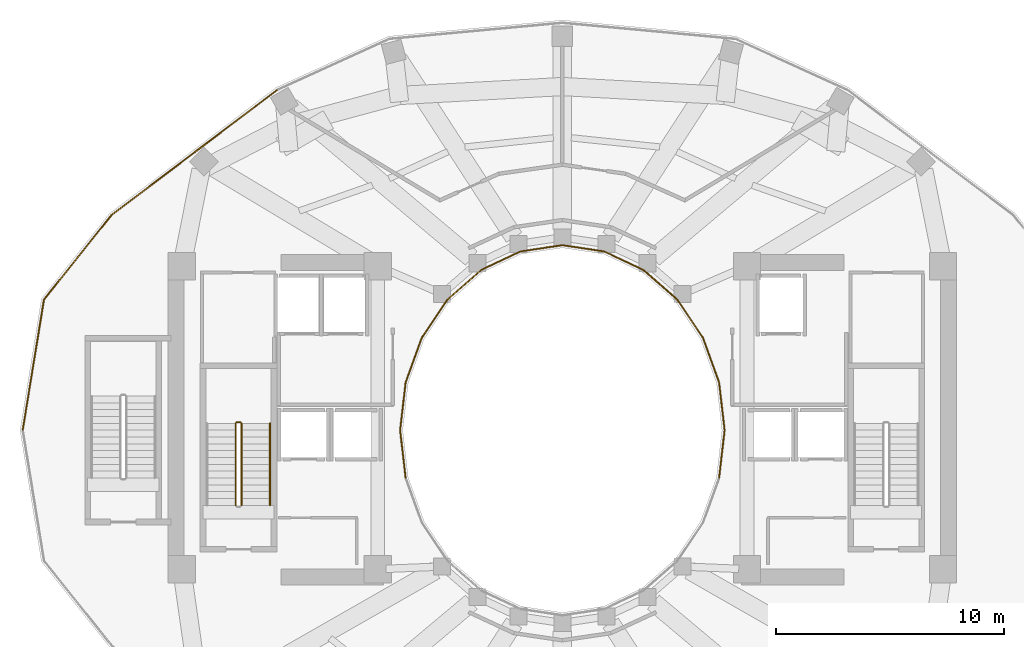
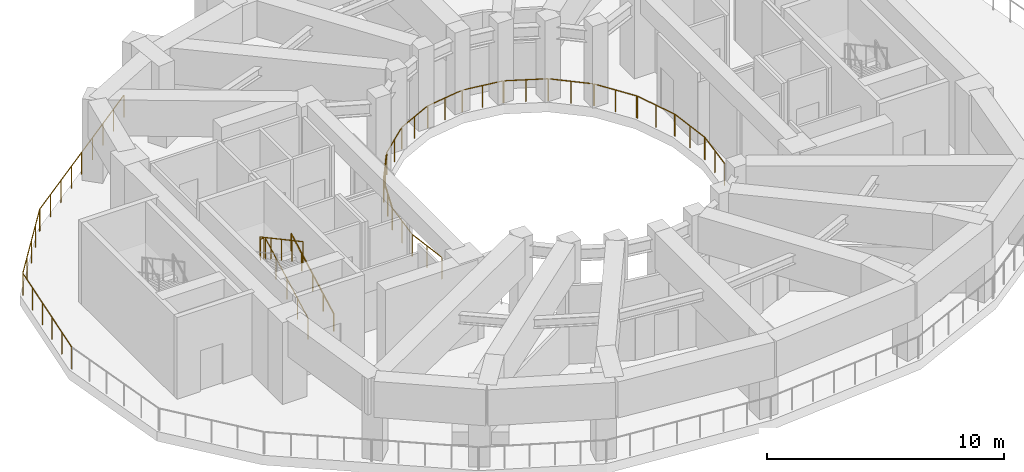
# One storey, part 7 of 9: 22 railings.
"""IFC4 building model written with IfcOpenShell, lengths in metres."""

from ifc_helpers import new_model, si_unit, direction, frame, origin, origin_2d, place, context, subcontext, project, spatial, circle, extrude, material, type_object, element, save


model = new_model("IFC4")

# Units and contexts
model_context = context("Model", 3, precision=1e-05, world=origin(), true_north=direction((0.0, 1.0)))
body_context = subcontext(model_context, "Body", "Model", "MODEL_VIEW")
ifc_project = project(units=[si_unit("LENGTHUNIT", "METRE"), si_unit("AREAUNIT", "SQUARE_METRE"), si_unit("VOLUMEUNIT", "CUBIC_METRE"), si_unit("PLANEANGLEUNIT", "RADIAN"), si_unit("MASSUNIT", "GRAM", prefix="KILO")], contexts=[model_context])

# Site, building, storey
site_placement = place(None, origin())
site = spatial("IfcSite", under=ifc_project, at=site_placement, CompositionType="ELEMENT")
building_placement = place(site_placement, origin())
building = spatial("IfcBuilding", under=site, at=building_placement, Name="Solvane Sanctuary Tower", CompositionType="ELEMENT")
storey_placement = place(building_placement, frame((0.0, 0.0, 133.199951171875)))
storey = spatial("IfcBuildingStorey", under=building, at=storey_placement, Name="L40", CompositionType="ELEMENT", Elevation=133.199951171875)

# Railings
ifc_material = material(Name="Architectural Stainless Steel 316", Category="steel")
railing_type_1 = type_object("IfcRailingType", Name="Railing GR-BALC-1150", PredefinedType="BALUSTRADE", material=ifc_material)
railing_1_placement = place(storey_placement, frame((19.470458984375, 37.9208984375, 0.0)))
element("IfcRailing", 1, at=railing_1_placement, inside=storey, type_object=railing_type_1, Name="L40 Open Void-Portal Perimeter Balustrade 08", PredefinedType="BALUSTRADE", context=body_context, shape_type="SweptSolid", body=[
    extrude(circle(Radius=0.02392578125, at=origin_2d()), frame((0.0, 0.0, 1.1259765625), z_axis=(-0.797812361188, -0.602905827088, 0.0), x_axis=(0.602905827088, -0.797812361188, 0.0)), (0.0, 0.0, 1.0), 4.5107421875),
    extrude(circle(Radius=0.02099609375, at=origin_2d()), origin(), (0.0, 0.0, 1.0), 1.101806640625),
    extrude(circle(Radius=0.02099609375, at=origin_2d()), frame((-0.899658203125, -0.679931640625, 0.0)), (0.0, 0.0, 1.0), 1.101806640625),
    extrude(circle(Radius=0.02099609375, at=origin_2d()), frame((-1.79931640625, -1.35986328125, 0.0)), (0.0, 0.0, 1.0), 1.101806640625),
    extrude(circle(Radius=0.02099609375, at=origin_2d()), frame((-2.698974609375, -2.03955078125, 0.0)), (0.0, 0.0, 1.0), 1.101806640625),
    extrude(circle(Radius=0.02099609375, at=origin_2d()), frame((-3.5986328125, -2.719482421875, 0.0)), (0.0, 0.0, 1.0), 1.101806640625),
])
railing_2_placement = place(storey_placement, frame((15.83984375, 35.17724609375, 0.0)))
element("IfcRailing", 2, at=railing_2_placement, inside=storey, type_object=railing_type_1, Name="L40 Open Void-Portal Perimeter Balustrade 09", PredefinedType="BALUSTRADE", context=body_context, shape_type="SweptSolid", body=[
    extrude(circle(Radius=0.02392578125, at=origin_2d()), frame((0.0, 0.0, 1.1259765625), z_axis=(-0.798328062735, -0.602222802832, 0.0), x_axis=(0.602222802832, -0.798328062735, 0.0)), (0.0, 0.0, 1.0), 4.51171875),
    extrude(circle(Radius=0.02099609375, at=origin_2d()), origin(), (0.0, 0.0, 1.0), 1.101806640625),
    extrude(circle(Radius=0.02099609375, at=origin_2d()), frame((-0.900390625, -0.67919921875, 0.0)), (0.0, 0.0, 1.0), 1.101806640625),
    extrude(circle(Radius=0.02099609375, at=origin_2d()), frame((-1.80078125, -1.3583984375, 0.0)), (0.0, 0.0, 1.0), 1.101806640625),
    extrude(circle(Radius=0.02099609375, at=origin_2d()), frame((-2.701416015625, -2.037841796875, 0.0)), (0.0, 0.0, 1.0), 1.101806640625),
    extrude(circle(Radius=0.02099609375, at=origin_2d()), frame((-3.601806640625, -2.717041015625, 0.0)), (0.0, 0.0, 1.0), 1.101806640625),
])
railing_3_placement = place(storey_placement, frame((12.20947265625, 32.4326171875, 0.0)))
element("IfcRailing", 3, at=railing_3_placement, inside=storey, type_object=railing_type_1, Name="L40 Open Void-Portal Perimeter Balustrade 10", PredefinedType="BALUSTRADE", context=body_context, shape_type="SweptSolid", body=[
    extrude(circle(Radius=0.02392578125, at=origin_2d()), frame((0.0, 0.0, 1.1259765625), z_axis=(-0.624253147679, -0.781222124375, 0.0), x_axis=(0.781222124375, -0.624253147679, 0.0)), (0.0, 0.0, 1.0), 4.71728515625),
    extrude(circle(Radius=0.02099609375, at=origin_2d()), origin(), (0.0, 0.0, 1.0), 1.101806640625),
    extrude(circle(Radius=0.02099609375, at=origin_2d()), frame((-0.736328125, -0.92138671875, 0.0)), (0.0, 0.0, 1.0), 1.101806640625),
    extrude(circle(Radius=0.02099609375, at=origin_2d()), frame((-1.472412109375, -1.8427734375, 0.0)), (0.0, 0.0, 1.0), 1.101806640625),
    extrude(circle(Radius=0.02099609375, at=origin_2d()), frame((-2.20849609375, -2.763916015625, 0.0)), (0.0, 0.0, 1.0), 1.101806640625),
    extrude(circle(Radius=0.02099609375, at=origin_2d()), frame((-2.94482421875, -3.685302734375, 0.0)), (0.0, 0.0, 1.0), 1.101806640625),
])
railing_4_placement = place(storey_placement, frame((9.2490234375, 28.7119140625, 0.0)))
element("IfcRailing", 4, at=railing_4_placement, inside=storey, type_object=railing_type_1, Name="L40 Open Void-Portal Perimeter Balustrade 11", PredefinedType="BALUSTRADE", context=body_context, shape_type="SweptSolid", body=[
    extrude(circle(Radius=0.02392578125, at=origin_2d()), frame((0.0, 0.0, 1.1259765625), z_axis=(-0.16069766092, -0.987003678704, 0.0), x_axis=(0.987003678704, -0.16069766092, 0.0)), (0.0, 0.0, 1.0), 5.76708984375),
    extrude(circle(Radius=0.02099609375, at=origin_2d()), origin(), (0.0, 0.0, 1.0), 1.101806640625),
    extrude(circle(Radius=0.02099609375, at=origin_2d()), frame((-0.185302734375, -1.138427734375, 0.0)), (0.0, 0.0, 1.0), 1.101806640625),
    extrude(circle(Radius=0.02099609375, at=origin_2d()), frame((-0.37060546875, -2.27685546875, 0.0)), (0.0, 0.0, 1.0), 1.101806640625),
    extrude(circle(Radius=0.02099609375, at=origin_2d()), frame((-0.55615234375, -3.415283203125, 0.0)), (0.0, 0.0, 1.0), 1.101806640625),
    extrude(circle(Radius=0.02099609375, at=origin_2d()), frame((-0.741455078125, -4.5537109375, 0.0)), (0.0, 0.0, 1.0), 1.101806640625),
    extrude(circle(Radius=0.02099609375, at=origin_2d()), frame((-0.9267578125, -5.692138671875, 0.0)), (0.0, 0.0, 1.0), 1.101806640625),
])
railing_5_placement = place(storey_placement, frame((17.919921875, 19.699951171875, 0.16162109375)))
element("IfcRailing", 5, at=railing_5_placement, inside=storey, type_object=railing_type_1, Name="L40 ST-1 stair guard 1", PredefinedType="BALUSTRADE", context=body_context, shape_type="SweptSolid", body=[
    extrude(circle(Radius=0.02392578125, at=origin_2d()), frame((0.0, 0.0, 1.076171875), z_axis=(0.0, 0.880474934443, 0.474092701714), x_axis=(-1.0, 0.0, 0.0)), (0.0, 0.0, 1.0), 4.0888671875),
    extrude(circle(Radius=0.02099609375, at=origin_2d()), origin(), (0.0, 0.0, 1.0), 1.052001953125),
    extrude(circle(Radius=0.02099609375, at=origin_2d()), frame((0.0, 0.89990234375, 0.484619140625)), (0.0, 0.0, 1.0), 1.052001953125),
    extrude(circle(Radius=0.02099609375, at=origin_2d()), frame((0.0, 1.800048828125, 0.96923828125)), (0.0, 0.0, 1.0), 1.052001953125),
    extrude(circle(Radius=0.02099609375, at=origin_2d()), frame((0.0, 2.7001953125, 1.453857421875)), (0.0, 0.0, 1.0), 1.052001953125),
    extrude(circle(Radius=0.02099609375, at=origin_2d()), frame((0.0, 3.60009765625, 1.9384765625)), (0.0, 0.0, 1.0), 1.052001953125),
])
railing_6_placement = place(storey_placement, frame((17.8701171875, 23.35009765625, 2.10009765625)))
element("IfcRailing", 6, at=railing_6_placement, inside=storey, type_object=railing_type_1, Name="L40 ST-1 stair guard 2", PredefinedType="BALUSTRADE", context=body_context, shape_type="SweptSolid", body=[
    extrude(circle(Radius=0.02392578125, at=origin_2d()), frame((0.0, 0.0, 1.076171875), z_axis=(-1.0, 0.0, 0.0), x_axis=(0.0, -1.0, 0.0)), (0.0, 0.0, 1.0), 0.16015625),
    extrude(circle(Radius=0.02099609375, at=origin_2d()), origin(), (0.0, 0.0, 1.0), 1.052001953125),
    extrude(circle(Radius=0.02099609375, at=origin_2d()), frame((-0.16015625, 0.0, 0.0)), (0.0, 0.0, 1.0), 1.052001953125),
])
railing_7_placement = place(storey_placement, frame((17.659912109375, 23.300048828125, 2.261474609375)))
element("IfcRailing", 7, at=railing_7_placement, inside=storey, type_object=railing_type_1, Name="L40 ST-1 stair guard 3", PredefinedType="BALUSTRADE", context=body_context, shape_type="SweptSolid", body=[
    extrude(circle(Radius=0.02392578125, at=origin_2d()), frame((0.0, 0.0, 1.076171875), z_axis=(0.0, -0.880474934443, 0.474092701714), x_axis=(1.0, 0.0, 0.0)), (0.0, 0.0, 1.0), 4.0888671875),
    extrude(circle(Radius=0.02099609375, at=origin_2d()), origin(), (0.0, 0.0, 1.0), 1.052001953125),
    extrude(circle(Radius=0.02099609375, at=origin_2d()), frame((0.0, -0.89990234375, 0.484619140625)), (0.0, 0.0, 1.0), 1.052001953125),
    extrude(circle(Radius=0.02099609375, at=origin_2d()), frame((0.0, -1.800048828125, 0.96923828125)), (0.0, 0.0, 1.0), 1.052001953125),
    extrude(circle(Radius=0.02099609375, at=origin_2d()), frame((0.0, -2.7001953125, 1.453857421875)), (0.0, 0.0, 1.0), 1.052001953125),
    extrude(circle(Radius=0.02099609375, at=origin_2d()), frame((0.0, -3.60009765625, 1.9384765625)), (0.0, 0.0, 1.0), 1.052001953125),
])
railing_type_2 = type_object("IfcRailingType", Name="Railing GR-WELL-1150", PredefinedType="GUARDRAIL", material=ifc_material)
railing_8_placement = place(storey_placement, frame((39.11767578125, 23.02001953125, 0.0)))
element("IfcRailing", 8, at=railing_8_placement, inside=storey, type_object=railing_type_2, Name="L40 Open Refuge Light-Well Guardrail 00", PredefinedType="GUARDRAIL", context=body_context, shape_type="SweptSolid", body=[
    extrude(circle(Radius=0.02392578125, at=origin_2d()), frame((0.0, 0.0, 1.1259765625), z_axis=(-0.114691080618, 0.993401205972, 0.0), x_axis=(-0.993401205972, -0.114691080618, 0.0)), (0.0, 0.0, 1.0), 2.075439453125),
    extrude(circle(Radius=0.02099609375, at=origin_2d()), origin(), (0.0, 0.0, 1.0), 1.101806640625),
    extrude(circle(Radius=0.02099609375, at=origin_2d()), frame((-0.119140625, 1.03076171875, 0.0)), (0.0, 0.0, 1.0), 1.101806640625),
    extrude(circle(Radius=0.02099609375, at=origin_2d()), frame((-0.238037109375, 2.061767578125, 0.0)), (0.0, 0.0, 1.0), 1.101806640625),
])
railing_9_placement = place(storey_placement, frame((38.87060546875, 25.120361328125, 0.0)))
element("IfcRailing", 9, at=railing_9_placement, inside=storey, type_object=railing_type_2, Name="L40 Open Refuge Light-Well Guardrail 01", PredefinedType="GUARDRAIL", context=body_context, shape_type="SweptSolid", body=[
    extrude(circle(Radius=0.02392578125, at=origin_2d()), frame((0.0, 0.0, 1.1259765625), z_axis=(-0.341416925197, 0.93991195502, 0.0), x_axis=(-0.93991195502, -0.341416925197, 0.0)), (0.0, 0.0, 1.0), 2.043701171875),
    extrude(circle(Radius=0.02099609375, at=origin_2d()), origin(), (0.0, 0.0, 1.0), 1.101806640625),
    extrude(circle(Radius=0.02099609375, at=origin_2d()), frame((-0.348876953125, 0.96044921875, 0.0)), (0.0, 0.0, 1.0), 1.101806640625),
    extrude(circle(Radius=0.02099609375, at=origin_2d()), frame((-0.69775390625, 1.9208984375, 0.0)), (0.0, 0.0, 1.0), 1.101806640625),
])
railing_10_placement = place(storey_placement, frame((38.15478515625, 27.07666015625, 0.0)))
element("IfcRailing", 10, at=railing_10_placement, inside=storey, type_object=railing_type_2, Name="L40 Open Refuge Light-Well Guardrail 02", PredefinedType="GUARDRAIL", context=body_context, shape_type="SweptSolid", body=[
    extrude(circle(Radius=0.02392578125, at=origin_2d()), frame((0.0, 0.0, 1.1259765625), z_axis=(-0.558155157445, 0.829736596889, 0.0), x_axis=(-0.829736596889, -0.558155157445, 0.0)), (0.0, 0.0, 1.0), 1.98681640625),
    extrude(circle(Radius=0.02099609375, at=origin_2d()), origin(), (0.0, 0.0, 1.0), 1.101806640625),
    extrude(circle(Radius=0.02099609375, at=origin_2d()), frame((-0.554443359375, 0.82421875, 0.0)), (0.0, 0.0, 1.0), 1.101806640625),
    extrude(circle(Radius=0.02099609375, at=origin_2d()), frame((-1.10888671875, 1.6484375, 0.0)), (0.0, 0.0, 1.0), 1.101806640625),
])
railing_11_placement = place(storey_placement, frame((37.01953125, 28.7548828125, 0.0)))
element("IfcRailing", 11, at=railing_11_placement, inside=storey, type_object=railing_type_2, Name="L40 Open Refuge Light-Well Guardrail 03", PredefinedType="GUARDRAIL", context=body_context, shape_type="SweptSolid", body=[
    extrude(circle(Radius=0.02392578125, at=origin_2d()), frame((0.0, 0.0, 1.1259765625), z_axis=(-0.752545174005, 0.658540629788, 0.0), x_axis=(-0.658540629788, -0.752545174005, 0.0)), (0.0, 0.0, 1.0), 1.919189453125),
    extrude(circle(Radius=0.02099609375, at=origin_2d()), origin(), (0.0, 0.0, 1.0), 1.101806640625),
    extrude(circle(Radius=0.02099609375, at=origin_2d()), frame((-0.72216796875, 0.6318359375, 0.0)), (0.0, 0.0, 1.0), 1.101806640625),
    extrude(circle(Radius=0.02099609375, at=origin_2d()), frame((-1.4443359375, 1.263916015625, 0.0)), (0.0, 0.0, 1.0), 1.101806640625),
])
railing_12_placement = place(storey_placement, frame((35.5419921875, 30.04052734375, 0.0)))
element("IfcRailing", 12, at=railing_12_placement, inside=storey, type_object=railing_type_2, Name="L40 Open Refuge Light-Well Guardrail 04", PredefinedType="GUARDRAIL", context=body_context, shape_type="SweptSolid", body=[
    extrude(circle(Radius=0.02392578125, at=origin_2d()), frame((0.0, 0.0, 1.1259765625), z_axis=(-0.90418385242, 0.427143489968, 0.0), x_axis=(-0.427143489968, -0.90418385242, 0.0)), (0.0, 0.0, 1.0), 1.859375),
    extrude(circle(Radius=0.02099609375, at=origin_2d()), origin(), (0.0, 0.0, 1.0), 1.101806640625),
    extrude(circle(Radius=0.02099609375, at=origin_2d()), frame((-0.840576171875, 0.39697265625, 0.0)), (0.0, 0.0, 1.0), 1.101806640625),
    extrude(circle(Radius=0.02099609375, at=origin_2d()), frame((-1.68115234375, 0.794189453125, 0.0)), (0.0, 0.0, 1.0), 1.101806640625),
])
railing_13_placement = place(storey_placement, frame((33.822998046875, 30.84619140625, 0.0)))
element("IfcRailing", 13, at=railing_13_placement, inside=storey, type_object=railing_type_2, Name="L40 Open Refuge Light-Well Guardrail 05", PredefinedType="GUARDRAIL", context=body_context, shape_type="SweptSolid", body=[
    extrude(circle(Radius=0.02392578125, at=origin_2d()), frame((0.0, 0.0, 1.1259765625), z_axis=(-0.988914736588, 0.148484489964, 0.0), x_axis=(-0.148484489964, -0.988914736588, 0.0)), (0.0, 0.0, 1.0), 1.823486328125),
    extrude(circle(Radius=0.02099609375, at=origin_2d()), origin(), (0.0, 0.0, 1.0), 1.101806640625),
    extrude(circle(Radius=0.02099609375, at=origin_2d()), frame((-0.901611328125, 0.13525390625, 0.0)), (0.0, 0.0, 1.0), 1.101806640625),
    extrude(circle(Radius=0.02099609375, at=origin_2d()), frame((-1.80322265625, 0.270751953125, 0.0)), (0.0, 0.0, 1.0), 1.101806640625),
])
railing_14_placement = place(storey_placement, frame((31.980224609375, 31.116943359375, 0.0)))
element("IfcRailing", 14, at=railing_14_placement, inside=storey, type_object=railing_type_2, Name="L40 Open Refuge Light-Well Guardrail 06", PredefinedType="GUARDRAIL", context=body_context, shape_type="SweptSolid", body=[
    extrude(circle(Radius=0.02392578125, at=origin_2d()), frame((0.0, 0.0, 1.1259765625), z_axis=(-0.988914736588, -0.148484489964, 0.0), x_axis=(0.148484489964, -0.988914736588, 0.0)), (0.0, 0.0, 1.0), 1.823486328125),
    extrude(circle(Radius=0.02099609375, at=origin_2d()), origin(), (0.0, 0.0, 1.0), 1.101806640625),
    extrude(circle(Radius=0.02099609375, at=origin_2d()), frame((-0.901611328125, -0.13525390625, 0.0)), (0.0, 0.0, 1.0), 1.101806640625),
    extrude(circle(Radius=0.02099609375, at=origin_2d()), frame((-1.80322265625, -0.270751953125, 0.0)), (0.0, 0.0, 1.0), 1.101806640625),
])
railing_15_placement = place(storey_placement, frame((30.13916015625, 30.834716796875, 0.0)))
element("IfcRailing", 15, at=railing_15_placement, inside=storey, type_object=railing_type_2, Name="L40 Open Refuge Light-Well Guardrail 07", PredefinedType="GUARDRAIL", context=body_context, shape_type="SweptSolid", body=[
    extrude(circle(Radius=0.02392578125, at=origin_2d()), frame((0.0, 0.0, 1.1259765625), z_axis=(-0.90418385242, -0.427143489968, 0.0), x_axis=(0.427143489968, -0.90418385242, 0.0)), (0.0, 0.0, 1.0), 1.859375),
    extrude(circle(Radius=0.02099609375, at=origin_2d()), origin(), (0.0, 0.0, 1.0), 1.101806640625),
    extrude(circle(Radius=0.02099609375, at=origin_2d()), frame((-0.840576171875, -0.39697265625, 0.0)), (0.0, 0.0, 1.0), 1.101806640625),
    extrude(circle(Radius=0.02099609375, at=origin_2d()), frame((-1.68115234375, -0.794189453125, 0.0)), (0.0, 0.0, 1.0), 1.101806640625),
])
railing_16_placement = place(storey_placement, frame((28.4248046875, 30.018798828125, 0.0)))
element("IfcRailing", 16, at=railing_16_placement, inside=storey, type_object=railing_type_2, Name="L40 Open Refuge Light-Well Guardrail 08", PredefinedType="GUARDRAIL", context=body_context, shape_type="SweptSolid", body=[
    extrude(circle(Radius=0.02392578125, at=origin_2d()), frame((0.0, 0.0, 1.1259765625), z_axis=(-0.752545174005, -0.658540629788, 0.0), x_axis=(0.658540629788, -0.752545174005, 0.0)), (0.0, 0.0, 1.0), 1.919189453125),
    extrude(circle(Radius=0.02099609375, at=origin_2d()), origin(), (0.0, 0.0, 1.0), 1.101806640625),
    extrude(circle(Radius=0.02099609375, at=origin_2d()), frame((-0.72216796875, -0.6318359375, 0.0)), (0.0, 0.0, 1.0), 1.101806640625),
    extrude(circle(Radius=0.02099609375, at=origin_2d()), frame((-1.4443359375, -1.263916015625, 0.0)), (0.0, 0.0, 1.0), 1.101806640625),
])
railing_17_placement = place(storey_placement, frame((26.9541015625, 28.72509765625, 0.0)))
element("IfcRailing", 17, at=railing_17_placement, inside=storey, type_object=railing_type_2, Name="L40 Open Refuge Light-Well Guardrail 09", PredefinedType="GUARDRAIL", context=body_context, shape_type="SweptSolid", body=[
    extrude(circle(Radius=0.02392578125, at=origin_2d()), frame((0.0, 0.0, 1.1259765625), z_axis=(-0.558155157445, -0.829736596889, 0.0), x_axis=(0.829736596889, -0.558155157445, 0.0)), (0.0, 0.0, 1.0), 1.98681640625),
    extrude(circle(Radius=0.02099609375, at=origin_2d()), origin(), (0.0, 0.0, 1.0), 1.101806640625),
    extrude(circle(Radius=0.02099609375, at=origin_2d()), frame((-0.554443359375, -0.82421875, 0.0)), (0.0, 0.0, 1.0), 1.101806640625),
    extrude(circle(Radius=0.02099609375, at=origin_2d()), frame((-1.10888671875, -1.6484375, 0.0)), (0.0, 0.0, 1.0), 1.101806640625),
])
railing_18_placement = place(storey_placement, frame((25.8271484375, 27.041259765625, 0.0)))
element("IfcRailing", 18, at=railing_18_placement, inside=storey, type_object=railing_type_2, Name="L40 Open Refuge Light-Well Guardrail 10", PredefinedType="GUARDRAIL", context=body_context, shape_type="SweptSolid", body=[
    extrude(circle(Radius=0.02392578125, at=origin_2d()), frame((0.0, 0.0, 1.1259765625), z_axis=(-0.341416925197, -0.93991195502, 0.0), x_axis=(0.93991195502, -0.341416925197, 0.0)), (0.0, 0.0, 1.0), 2.043701171875),
    extrude(circle(Radius=0.02099609375, at=origin_2d()), origin(), (0.0, 0.0, 1.0), 1.101806640625),
    extrude(circle(Radius=0.02099609375, at=origin_2d()), frame((-0.348876953125, -0.96044921875, 0.0)), (0.0, 0.0, 1.0), 1.101806640625),
    extrude(circle(Radius=0.02099609375, at=origin_2d()), frame((-0.69775390625, -1.9208984375, 0.0)), (0.0, 0.0, 1.0), 1.101806640625),
])
railing_19_placement = place(storey_placement, frame((25.120361328125, 25.081787109375, 0.0)))
element("IfcRailing", 19, at=railing_19_placement, inside=storey, type_object=railing_type_2, Name="L40 Open Refuge Light-Well Guardrail 11", PredefinedType="GUARDRAIL", context=body_context, shape_type="SweptSolid", body=[
    extrude(circle(Radius=0.02392578125, at=origin_2d()), frame((0.0, 0.0, 1.1259765625), z_axis=(-0.114691080618, -0.993401205972, 0.0), x_axis=(0.993401205972, -0.114691080618, 0.0)), (0.0, 0.0, 1.0), 2.075439453125),
    extrude(circle(Radius=0.02099609375, at=origin_2d()), origin(), (0.0, 0.0, 1.0), 1.101806640625),
    extrude(circle(Radius=0.02099609375, at=origin_2d()), frame((-0.119140625, -1.03076171875, 0.0)), (0.0, 0.0, 1.0), 1.101806640625),
    extrude(circle(Radius=0.02099609375, at=origin_2d()), frame((-0.238037109375, -2.061767578125, 0.0)), (0.0, 0.0, 1.0), 1.101806640625),
])
railing_20_placement = place(storey_placement, frame((24.88232421875, 22.97998046875, 0.0)))
element("IfcRailing", 20, at=railing_20_placement, inside=storey, type_object=railing_type_2, Name="L40 Open Refuge Light-Well Guardrail 12", PredefinedType="GUARDRAIL", context=body_context, shape_type="SweptSolid", body=[
    extrude(circle(Radius=0.02392578125, at=origin_2d()), frame((0.0, 0.0, 1.1259765625), z_axis=(0.114691080618, -0.993401205972, 0.0), x_axis=(0.993401205972, 0.114691080618, 0.0)), (0.0, 0.0, 1.0), 2.075439453125),
    extrude(circle(Radius=0.02099609375, at=origin_2d()), origin(), (0.0, 0.0, 1.0), 1.101806640625),
    extrude(circle(Radius=0.02099609375, at=origin_2d()), frame((0.119140625, -1.03076171875, 0.0)), (0.0, 0.0, 1.0), 1.101806640625),
    extrude(circle(Radius=0.02099609375, at=origin_2d()), frame((0.238037109375, -2.061767578125, 0.0)), (0.0, 0.0, 1.0), 1.101806640625),
])
railing_21_placement = place(storey_placement, frame((38.879638671875, 20.918212890625, 0.0)))
element("IfcRailing", 21, at=railing_21_placement, inside=storey, type_object=railing_type_2, Name="L40 Open Refuge Light-Well Guardrail 23", PredefinedType="GUARDRAIL", context=body_context, shape_type="SweptSolid", body=[
    extrude(circle(Radius=0.02392578125, at=origin_2d()), frame((0.0, 0.0, 1.1259765625), z_axis=(0.114691080618, 0.993401205972, 0.0), x_axis=(-0.993401205972, 0.114691080618, 0.0)), (0.0, 0.0, 1.0), 2.075439453125),
    extrude(circle(Radius=0.02099609375, at=origin_2d()), origin(), (0.0, 0.0, 1.0), 1.101806640625),
    extrude(circle(Radius=0.02099609375, at=origin_2d()), frame((0.119140625, 1.03076171875, 0.0)), (0.0, 0.0, 1.0), 1.101806640625),
    extrude(circle(Radius=0.02099609375, at=origin_2d()), frame((0.238037109375, 2.061767578125, 0.0)), (0.0, 0.0, 1.0), 1.101806640625),
])
railing_type_3 = type_object("IfcRailingType", Name="Railing HR-STAIR-920", PredefinedType="HANDRAIL", material=ifc_material)
railing_22_placement = place(storey_placement, frame((19.169921875, 19.699951171875, 0.16162109375)))
element("IfcRailing", 22, at=railing_22_placement, inside=storey, type_object=railing_type_3, Name="L40 ST-1 stair handrail 1", PredefinedType="HANDRAIL", context=body_context, shape_type="SweptSolid", body=[
    extrude(circle(Radius=0.02392578125, at=origin_2d()), frame((0.0, 0.0, 0.8759765625), z_axis=(0.0, 0.880474934443, 0.474092701714), x_axis=(-1.0, 0.0, 0.0)), (0.0, 0.0, 1.0), 4.0888671875),
    extrude(circle(Radius=0.02099609375, at=origin_2d()), origin(), (0.0, 0.0, 1.0), 0.851806640625),
    extrude(circle(Radius=0.02099609375, at=origin_2d()), frame((0.0, 0.89990234375, 0.484619140625)), (0.0, 0.0, 1.0), 0.851806640625),
    extrude(circle(Radius=0.02099609375, at=origin_2d()), frame((0.0, 1.800048828125, 0.96923828125)), (0.0, 0.0, 1.0), 0.851806640625),
    extrude(circle(Radius=0.02099609375, at=origin_2d()), frame((0.0, 2.7001953125, 1.453857421875)), (0.0, 0.0, 1.0), 0.851806640625),
    extrude(circle(Radius=0.02099609375, at=origin_2d()), frame((0.0, 3.60009765625, 1.9384765625)), (0.0, 0.0, 1.0), 0.851806640625),
])

save(model, "model.ifc")
